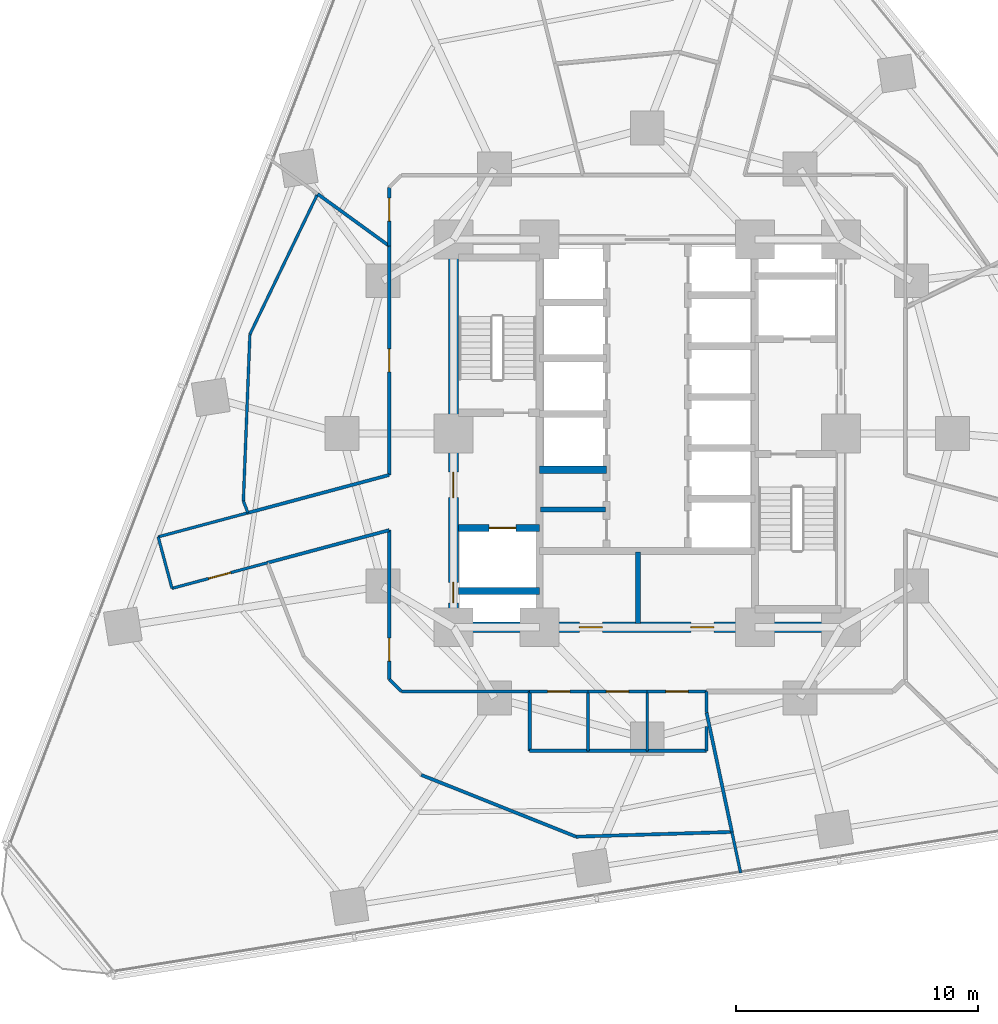
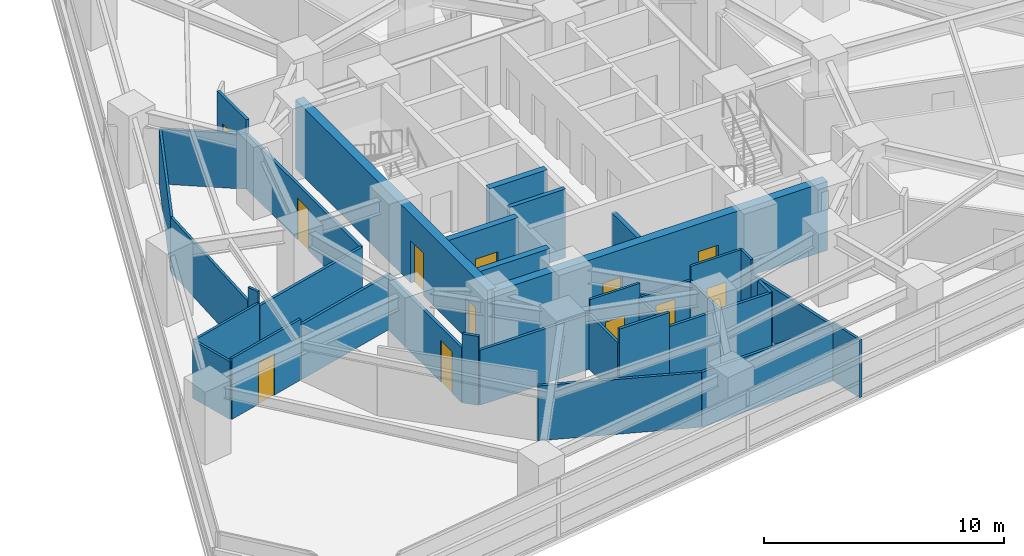
# One storey, part 7 of 14: 36 walls, 12 doors, 12 openings.
"""IFC4 building model written with IfcOpenShell, lengths in metres."""

from ifc_helpers import new_model, si_unit, direction, frame, frame_2d, origin, place, context, subcontext, project, spatial, rectangle, extrude, material, layer, layer_set, type_object, element, fill, save


model = new_model("IFC4")

# Units and contexts
model_context = context("Model", 3, precision=1e-05, world=origin(), true_north=direction((0.0, 1.0)))
body_context = subcontext(model_context, "Body", "Model", "MODEL_VIEW")
ifc_project = project(units=[si_unit("LENGTHUNIT", "METRE"), si_unit("AREAUNIT", "SQUARE_METRE"), si_unit("VOLUMEUNIT", "CUBIC_METRE"), si_unit("PLANEANGLEUNIT", "RADIAN"), si_unit("MASSUNIT", "GRAM", prefix="KILO")], contexts=[model_context])

# Site, building, storey
site_placement = place(None, origin())
site = spatial("IfcSite", under=ifc_project, at=site_placement, CompositionType="ELEMENT")
building_placement = place(site_placement, origin())
building = spatial("IfcBuilding", under=site, at=building_placement, Name="Terralouvre Media Tower", CompositionType="ELEMENT")
storey_placement = place(building_placement, frame((0.0, 0.0, 66.699951171875)))
storey = spatial("IfcBuildingStorey", under=building, at=storey_placement, Name="L16", CompositionType="ELEMENT", Elevation=66.699951171875)

# Wall, opening, door
ifc_material_1 = material(Name="Concrete C50/60", Category="concrete")
ifc_layer_1 = layer(ifc_material_1, 0.300048828125, Name="Core Internal Shaft Wall CW-300")
ifc_layer_set_1 = layer_set([ifc_layer_1], Name="Concrete C50/60")
wall_type_1 = type_object("IfcWallType", Name="Core Internal Shaft Wall CW-300", PredefinedType="SHEAR", material=ifc_layer_set_1)
wall_1_placement = place(storey_placement, frame((-7.7900390625, -3.89990234375, 0.0), z_axis=(0.0, 0.0, 1.0), x_axis=(1.0, 0.0, 0.0)))
wall_1 = element("IfcWall", 1, at=wall_1_placement, inside=storey, type_object=wall_type_1, Name="L16 Core Shaft Wall FF1N", PredefinedType="SHEAR", context=body_context, shape_type="SweptSolid", body=[
    extrude(rectangle(XDim=3.340087890625, YDim=0.300048828125, at=frame_2d((1.669921875, 0.0))), origin(), (0.0, 0.0, 1.0), 3.5),
])
opening_1_placement = place(wall_1_placement, frame((1.27001953125, 0.0, 0.0)))
opening_1 = element("IfcOpeningElement", 2, at=opening_1_placement, cuts=wall_1, Name="Opening LD-FF", PredefinedType="OPENING", context=body_context, shape_type="SweptSolid", body=[
    extrude(rectangle(XDim=1.10009765625, YDim=2.10009765625, at=frame_2d((0.550048828125, 1.050048828125))), frame((0.0, 0.159912109375, 0.0), z_axis=(0.0, -1.0, 0.0), x_axis=(1.0, 0.0, 0.0)), (0.0, 0.0, 1.0), 0.320068359375),
])
ifc_material_2 = material(Name="Stainless steel 316 handrail and balustrade", Category="steel")
door_type_1 = type_object("IfcDoorType", Name="Firefighting Lift Sliding Landing Door LD-FF", OperationType="SLIDING_TO_LEFT", PredefinedType="DOOR", material=ifc_material_2)
door_1_placement = place(opening_1_placement, origin())
door_1 = element("IfcDoor", 3, at=door_1_placement, inside=storey, type_object=door_type_1, Name="L16 Firefighting Lift FFL-01 Landing Door", OperationType="SLIDING_TO_LEFT", OverallHeight=2.10009765625, OverallWidth=1.10009765625, PredefinedType="DOOR", context=body_context, shape_type="SweptSolid", body=[
    extrude(rectangle(XDim=1.10009765625, YDim=2.10009765625, at=frame_2d((0.550048828125, 1.050048828125))), frame((0.0, 0.02490234375, 0.0), z_axis=(0.0, -1.0, 0.0), x_axis=(1.0, 0.0, 0.0)), (0.0, 0.0, 1.0), 0.050048828125),
])
fill(opening_1, door_1)

# Walls
wall_2_placement = place(storey_placement, frame((-7.7900390625, -6.5, 0.0), z_axis=(0.0, 0.0, 1.0), x_axis=(1.0, 0.0, 0.0)))
element("IfcWall", 4, at=wall_2_placement, inside=storey, type_object=wall_type_1, Name="L16 Core Shaft Wall FF1S", PredefinedType="SHEAR", context=body_context, shape_type="SweptSolid", body=[
    extrude(rectangle(XDim=3.340087890625, YDim=0.300048828125, at=frame_2d((1.669921875, 0.0))), origin(), (0.0, 0.0, 1.0), 3.5),
])
wall_3_placement = place(storey_placement, frame((-4.449951171875, -1.5, 0.0), z_axis=(0.0, 0.0, 1.0), x_axis=(1.0, 0.0, 0.0)))
element("IfcWall", 5, at=wall_3_placement, inside=storey, type_object=wall_type_1, Name="L16 Core Shaft Wall PLLD0", PredefinedType="SHEAR", context=body_context, shape_type="SweptSolid", body=[
    extrude(rectangle(XDim=2.77001953125, YDim=0.300048828125, at=frame_2d((1.385009765625, 0.0))), origin(), (0.0, 0.0, 1.0), 3.5),
])

# Wall, openings, doors
ifc_material_3 = material(Name="Concrete C60/75", Category="concrete")
ifc_layer_2 = layer(ifc_material_3, 0.419921875, Name="Core Reinforced Concrete Shear Wall CW-420")
ifc_layer_set_2 = layer_set([ifc_layer_2], Name="Concrete C60/75")
wall_type_2 = type_object("IfcWallType", Name="Core Reinforced Concrete Shear Wall CW-420", PredefinedType="SHEAR", material=ifc_layer_set_2)
wall_4_placement = place(storey_placement, frame((-8.0, -8.0, 0.0), z_axis=(0.0, 0.0, 1.0), x_axis=(0.0, 1.0, 0.0)))
wall_4 = element("IfcWall", 6, at=wall_4_placement, inside=storey, type_object=wall_type_2, Name="L16 W Core Shear Wall", PredefinedType="SHEAR", context=body_context, shape_type="SweptSolid", body=[
    extrude(rectangle(XDim=16.0, YDim=0.419921875, at=frame_2d((8.0, 0.0))), origin(), (0.0, 0.0, 1.0), 3.5),
])
opening_2_placement = place(wall_4_placement, frame((1.001708984375, 0.0, 0.0)))
opening_2 = element("IfcOpeningElement", 7, at=opening_2_placement, cuts=wall_4, Name="Opening TD-R1", PredefinedType="OPENING", context=body_context, shape_type="SweptSolid", body=[
    extrude(rectangle(XDim=0.85009765625, YDim=2.02001953125, at=frame_2d((0.425048828125, 1.010009765625))), frame((0.0, 0.219970703125, 0.0), z_axis=(0.0, -1.0, 0.0), x_axis=(1.0, 0.0, 0.0)), (0.0, 0.0, 1.0), 0.43994140625),
])
opening_3_placement = place(wall_4_placement, frame((5.35009765625, 0.0, 0.0)))
opening_3 = element("IfcOpeningElement", 8, at=opening_3_placement, cuts=wall_4, Name="Opening FD-01-105X215", PredefinedType="OPENING", context=body_context, shape_type="SweptSolid", body=[
    extrude(rectangle(XDim=1.050048828125, YDim=2.14990234375, at=frame_2d((0.52490234375, 1.074951171875))), frame((0.0, 0.219970703125, 0.0), z_axis=(0.0, -1.0, 0.0), x_axis=(1.0, 0.0, 0.0)), (0.0, 0.0, 1.0), 0.43994140625),
])
ifc_material_4 = material(Name="Galvanised steel fire-resisting leaf", Category="steel")
door_type_2 = type_object("IfcDoorType", Name="Riser Inspection Access Trapdoor TD-R1", OperationType="NOTDEFINED", PredefinedType="TRAPDOOR", material=ifc_material_4)
door_2_placement = place(opening_2_placement, origin())
door_2 = element("IfcDoor", 9, at=door_2_placement, inside=storey, type_object=door_type_2, Name="L16 Wet Riser Access Trapdoor", OperationType="SINGLE_SWING_LEFT", OverallHeight=2.02001953125, OverallWidth=0.85009765625, PredefinedType="TRAPDOOR", context=body_context, shape_type="SweptSolid", body=[
    extrude(rectangle(XDim=0.85009765625, YDim=2.02001953125, at=frame_2d((0.425048828125, 1.010009765625))), frame((0.0, 0.02490234375, 0.0), z_axis=(0.0, -1.0, 0.0), x_axis=(1.0, 0.0, 0.0)), (0.0, 0.0, 1.0), 0.050048828125),
])
fill(opening_2, door_2)
ifc_material_5 = material(Name="Galvanised steel fire-resisting leaf", Category="steel")
door_type_3 = type_object("IfcDoorType", Name="Stair and Firefighting Lobby Fire Door FD-01 (1050x2150)", OperationType="NOTDEFINED", PredefinedType="DOOR", material=ifc_material_5)
door_3_placement = place(opening_3_placement, origin())
door_3 = element("IfcDoor", 10, at=door_3_placement, inside=storey, type_object=door_type_3, Name="L16 West Firefighting Lobby Entry Door", OperationType="SINGLE_SWING_RIGHT", OverallHeight=2.14990234375, OverallWidth=1.050048828125, PredefinedType="DOOR", context=body_context, shape_type="SweptSolid", body=[
    extrude(rectangle(XDim=1.050048828125, YDim=2.14990234375, at=frame_2d((0.52490234375, 1.074951171875))), frame((0.0, 0.02490234375, 0.0), z_axis=(0.0, -1.0, 0.0), x_axis=(1.0, 0.0, 0.0)), (0.0, 0.0, 1.0), 0.050048828125),
])
fill(opening_3, door_3)

wall_5_placement = place(storey_placement, frame((-8.0, -8.0, 0.0), z_axis=(0.0, 0.0, 1.0), x_axis=(1.0, 0.0, 0.0)))
wall_5 = element("IfcWall", 11, at=wall_5_placement, inside=storey, type_object=wall_type_2, Name="L16 S Core Shear Wall", PredefinedType="SHEAR", context=body_context, shape_type="SweptSolid", body=[
    extrude(rectangle(XDim=16.0, YDim=0.419921875, at=frame_2d((8.0, 0.0))), origin(), (0.0, 0.0, 1.0), 3.5),
])
opening_4_placement = place(wall_5_placement, frame((5.199951171875, 0.0, 0.0)))
opening_4 = element("IfcOpeningElement", 12, at=opening_4_placement, cuts=wall_5, Name="Opening FD-02-95X210", PredefinedType="OPENING", context=body_context, shape_type="SweptSolid", body=[
    extrude(rectangle(XDim=0.949951171875, YDim=2.10009765625, at=frame_2d((0.47509765625, 1.050048828125))), frame((0.0, 0.219970703125, 0.0), z_axis=(0.0, -1.0, 0.0), x_axis=(1.0, 0.0, 0.0)), (0.0, 0.0, 1.0), 0.43994140625),
])
opening_5_placement = place(wall_5_placement, frame((9.800048828125, 0.0, 0.0)))
opening_5 = element("IfcOpeningElement", 13, at=opening_5_placement, cuts=wall_5, Name="Opening FD-02-95X210", PredefinedType="OPENING", context=body_context, shape_type="SweptSolid", body=[
    extrude(rectangle(XDim=0.949951171875, YDim=2.10009765625, at=frame_2d((0.47509765625, 1.050048828125))), frame((0.0, 0.219970703125, 0.0), z_axis=(0.0, -1.0, 0.0), x_axis=(1.0, 0.0, 0.0)), (0.0, 0.0, 1.0), 0.43994140625),
])
ifc_material_6 = material(Name="Galvanised steel fire-resisting leaf", Category="steel")
door_type_4 = type_object("IfcDoorType", Name="Plant and Riser Fire Door FD-02 (950x2100)", OperationType="NOTDEFINED", PredefinedType="DOOR", material=ifc_material_6)
door_4_placement = place(opening_4_placement, origin())
door_4 = element("IfcDoor", 14, at=door_4_placement, inside=storey, type_object=door_type_4, Name="L16 Core Valve Plant Door", OperationType="SINGLE_SWING_LEFT", OverallHeight=2.10009765625, OverallWidth=0.949951171875, PredefinedType="DOOR", context=body_context, shape_type="SweptSolid", body=[
    extrude(rectangle(XDim=0.949951171875, YDim=2.10009765625, at=frame_2d((0.47509765625, 1.050048828125))), frame((0.0, 0.02490234375, 0.0), z_axis=(0.0, -1.0, 0.0), x_axis=(1.0, 0.0, 0.0)), (0.0, 0.0, 1.0), 0.050048828125),
])
fill(opening_4, door_4)
door_5_placement = place(opening_5_placement, origin())
door_5 = element("IfcDoor", 15, at=door_5_placement, inside=storey, type_object=door_type_4, Name="L16 Core MDF Plant Door", OperationType="SINGLE_SWING_RIGHT", OverallHeight=2.10009765625, OverallWidth=0.949951171875, PredefinedType="DOOR", context=body_context, shape_type="SweptSolid", body=[
    extrude(rectangle(XDim=0.949951171875, YDim=2.10009765625, at=frame_2d((0.47509765625, 1.050048828125))), frame((0.0, 0.02490234375, 0.0), z_axis=(0.0, -1.0, 0.0), x_axis=(1.0, 0.0, 0.0)), (0.0, 0.0, 1.0), 0.050048828125),
])
fill(opening_5, door_5)

# Walls
ifc_material_7 = material(Name="Fire-rated gypsum board drywall partition")
ifc_layer_3 = layer(ifc_material_7, 0.199951171875, Name="Fire-Rated Shaft and Lobby Partition FW-200")
ifc_layer_set_3 = layer_set([ifc_layer_3], Name="Fire-rated gypsum board drywall partition")
wall_type_3 = type_object("IfcWallType", Name="Fire-Rated Shaft and Lobby Partition FW-200", PredefinedType="SOLIDWALL", material=ifc_layer_set_3)
wall_6_placement = place(storey_placement, frame((-0.3798828125, -7.85009765625, 0.0), z_axis=(0.0, 0.0, 1.0), x_axis=(0.0, 1.0, 0.0)))
element("IfcWall", 16, at=wall_6_placement, inside=storey, type_object=wall_type_3, Name="L16 Core Service Bay Partition 1", PredefinedType="SOLIDWALL", context=body_context, shape_type="SweptSolid", body=[
    extrude(rectangle(XDim=2.9501953125, YDim=0.199951171875, at=frame_2d((1.47509765625, 0.0))), origin(), (0.0, 0.0, 1.0), 2.885009765625),
])
wall_7_placement = place(storey_placement, frame((-4.39990234375, -3.139892578125, 0.0), z_axis=(0.0, 0.0, 1.0), x_axis=(1.0, 0.0, 0.0)))
element("IfcWall", 17, at=wall_7_placement, inside=storey, type_object=wall_type_3, Name="L16 Core West Sub-Partition 1", PredefinedType="SOLIDWALL", context=body_context, shape_type="SweptSolid", body=[
    extrude(rectangle(XDim=2.679931640625, YDim=0.199951171875, at=frame_2d((1.33984375, 0.0))), origin(), (0.0, 0.0, 1.0), 3.5),
])
ifc_material_8 = material(Name="Fire-rated gypsum board drywall partition")
ifc_layer_4 = layer(ifc_material_8, 0.135009765625, Name="Newsroom Acoustic Partition PT-135")
ifc_layer_set_4 = layer_set([ifc_layer_4], Name="Fire-rated gypsum board drywall partition")
wall_type_4 = type_object("IfcWallType", Name="Newsroom Acoustic Partition PT-135", PredefinedType="PARTITIONING", material=ifc_layer_set_4)
wall_8_placement = place(storey_placement, frame((-15.677001953125, -5.339111328125, 0.0), z_axis=(0.0, 0.0, 1.0), x_axis=(0.965918107115, 0.258847851734, 0.0)))
element("IfcWall", 18, at=wall_8_placement, inside=storey, type_object=wall_type_4, Name="L16 Interior Partition 006", PredefinedType="PARTITIONING", context=body_context, shape_type="SweptSolid", body=[
    extrude(rectangle(XDim=5.20458984375, YDim=0.135009765625, at=frame_2d((2.602294921875, 0.0))), origin(), (0.0, 0.0, 1.0), 2.78515625),
])

# Wall, opening, door
wall_9_placement = place(storey_placement, frame((-10.64990234375, -3.991943359375, 0.0), z_axis=(0.0, 0.0, 1.0), x_axis=(0.0, -1.0, 0.0)))
wall_9 = element("IfcWall", 19, at=wall_9_placement, inside=storey, type_object=wall_type_4, Name="L16 Interior Partition 007", PredefinedType="PARTITIONING", context=body_context, shape_type="SweptSolid", body=[
    extrude(rectangle(XDim=6.157958984375, YDim=0.135009765625, at=frame_2d((3.0791015625, 0.0))), origin(), (0.0, 0.0, 1.0), 2.78515625),
])
opening_6_placement = place(wall_9_placement, frame((4.451416015625, 0.0, 0.0)))
opening_6 = element("IfcOpeningElement", 20, at=opening_6_placement, cuts=wall_9, Name="Opening ID-02-95X210", PredefinedType="OPENING", context=body_context, shape_type="SweptSolid", body=[
    extrude(rectangle(XDim=0.949951171875, YDim=2.10009765625, at=frame_2d((0.47509765625, 1.050048828125))), frame((0.0, 0.077392578125, 0.0), z_axis=(0.0, -1.0, 0.0), x_axis=(1.0, 0.0, 0.0)), (0.0, 0.0, 1.0), 0.155029296875),
])
ifc_material_9 = material(Name="Engineered hardwood acoustic timber leaf", Category="wood")
door_type_5 = type_object("IfcDoorType", Name="Office and Meeting Room Door ID-02 (950x2100)", OperationType="NOTDEFINED", PredefinedType="DOOR", material=ifc_material_9)
door_6_placement = place(opening_6_placement, origin())
door_6 = element("IfcDoor", 21, at=door_6_placement, inside=storey, type_object=door_type_5, Name="L16 Acoustic Listening Study 2 Door", OperationType="SINGLE_SWING_LEFT", OverallHeight=2.10009765625, OverallWidth=0.949951171875, PredefinedType="DOOR", context=body_context, shape_type="SweptSolid", body=[
    extrude(rectangle(XDim=0.949951171875, YDim=2.10009765625, at=frame_2d((0.47509765625, 1.050048828125))), frame((0.0, 0.02490234375, 0.0), z_axis=(0.0, -1.0, 0.0), x_axis=(1.0, 0.0, 0.0)), (0.0, 0.0, 1.0), 0.050048828125),
])
fill(opening_6, door_6)

# Walls
wall_10_placement = place(storey_placement, frame((-10.64990234375, -10.14990234375, 0.0), z_axis=(0.0, 0.0, 1.0), x_axis=(0.707106781187, -0.707106781187, 0.0)))
element("IfcWall", 22, at=wall_10_placement, inside=storey, type_object=wall_type_4, Name="L16 Interior Partition 008", PredefinedType="PARTITIONING", context=body_context, shape_type="SweptSolid", body=[
    extrude(rectangle(XDim=0.70703125, YDim=0.135009765625, at=frame_2d((0.353515625, 0.0))), origin(), (0.0, 0.0, 1.0), 3.5),
])
wall_11_placement = place(storey_placement, frame((-10.14990234375, -10.64990234375, 0.0), z_axis=(0.0, 0.0, 1.0), x_axis=(1.0, 0.0, 0.0)))
element("IfcWall", 23, at=wall_11_placement, inside=storey, type_object=wall_type_4, Name="L16 Interior Partition 009", PredefinedType="PARTITIONING", context=body_context, shape_type="SweptSolid", body=[
    extrude(rectangle(XDim=5.2998046875, YDim=0.135009765625, at=frame_2d((2.64990234375, 0.0))), origin(), (0.0, 0.0, 1.0), 2.78515625),
])

# Wall, opening, door
wall_12_placement = place(storey_placement, frame((-10.64990234375, 7.738037109375, 0.0), z_axis=(0.0, 0.0, 1.0), x_axis=(0.0, -1.0, 0.0)))
wall_12 = element("IfcWall", 24, at=wall_12_placement, inside=storey, type_object=wall_type_4, Name="L16 Interior Partition 018", PredefinedType="PARTITIONING", context=body_context, shape_type="SweptSolid", body=[
    extrude(rectangle(XDim=9.453125, YDim=0.135009765625, at=frame_2d((4.7265625, 0.0))), origin(), (0.0, 0.0, 1.0), 2.78515625),
])
opening_7_placement = place(wall_12_placement, frame((4.25146484375, 0.0, 0.0)))
opening_7 = element("IfcOpeningElement", 25, at=opening_7_placement, cuts=wall_12, Name="Opening ID-02-95X210", PredefinedType="OPENING", context=body_context, shape_type="SweptSolid", body=[
    extrude(rectangle(XDim=0.949951171875, YDim=2.10009765625, at=frame_2d((0.47509765625, 1.050048828125))), frame((0.0, 0.077392578125, 0.0), z_axis=(0.0, -1.0, 0.0), x_axis=(1.0, 0.0, 0.0)), (0.0, 0.0, 1.0), 0.155029296875),
])
door_7_placement = place(opening_7_placement, origin())
door_7 = element("IfcDoor", 26, at=door_7_placement, inside=storey, type_object=door_type_5, Name="L16 Audio Tape Archive Storage 6 Door", OperationType="SINGLE_SWING_LEFT", OverallHeight=2.10009765625, OverallWidth=0.949951171875, PredefinedType="DOOR", context=body_context, shape_type="SweptSolid", body=[
    extrude(rectangle(XDim=0.949951171875, YDim=2.10009765625, at=frame_2d((0.47509765625, 1.050048828125))), frame((0.0, 0.02490234375, 0.0), z_axis=(0.0, -1.0, 0.0), x_axis=(1.0, 0.0, 0.0)), (0.0, 0.0, 1.0), 0.050048828125),
])
fill(opening_7, door_7)

# Wall
wall_13_placement = place(storey_placement, frame((-10.64990234375, -1.715087890625, 0.0), z_axis=(0.0, 0.0, 1.0), x_axis=(-0.965921324617, -0.258835844987, 0.0)))
element("IfcWall", 27, at=wall_13_placement, inside=storey, type_object=wall_type_4, Name="L16 Interior Partition 019", PredefinedType="PARTITIONING", context=body_context, shape_type="SweptSolid", body=[
    extrude(rectangle(XDim=6.03466796875, YDim=0.135009765625, at=frame_2d((3.017333984375, 0.0))), origin(), (0.0, 0.0, 1.0), 2.78515625),
])

# Wall, opening, door
wall_14_placement = place(storey_placement, frame((-10.64990234375, 10.14990234375, 0.0), z_axis=(0.0, 0.0, 1.0), x_axis=(0.0, -1.0, 0.0)))
wall_14 = element("IfcWall", 28, at=wall_14_placement, inside=storey, type_object=wall_type_4, Name="L16 Interior Partition 031", PredefinedType="PARTITIONING", context=body_context, shape_type="SweptSolid", body=[
    extrude(rectangle(XDim=2.411865234375, YDim=0.135009765625, at=frame_2d((1.2060546875, 0.0))), origin(), (0.0, 0.0, 1.0), 3.5),
])
opening_8_placement = place(wall_14_placement, frame((0.441650390625, 0.0, 0.0)))
opening_8 = element("IfcOpeningElement", 29, at=opening_8_placement, cuts=wall_14, Name="Opening ID-02-95X210", PredefinedType="OPENING", context=body_context, shape_type="SweptSolid", body=[
    extrude(rectangle(XDim=0.949951171875, YDim=2.10009765625, at=frame_2d((0.47509765625, 1.050048828125))), frame((0.0, 0.077392578125, 0.0), z_axis=(0.0, -1.0, 0.0), x_axis=(1.0, 0.0, 0.0)), (0.0, 0.0, 1.0), 0.155029296875),
])
door_8_placement = place(opening_8_placement, origin())
door_8 = element("IfcDoor", 30, at=door_8_placement, inside=storey, type_object=door_type_5, Name="L16 Audio Producer Office 9 Door", OperationType="SINGLE_SWING_RIGHT", OverallHeight=2.10009765625, OverallWidth=0.949951171875, PredefinedType="DOOR", context=body_context, shape_type="SweptSolid", body=[
    extrude(rectangle(XDim=0.949951171875, YDim=2.10009765625, at=frame_2d((0.47509765625, 1.050048828125))), frame((0.0, 0.02490234375, 0.0), z_axis=(0.0, -1.0, 0.0), x_axis=(1.0, 0.0, 0.0)), (0.0, 0.0, 1.0), 0.050048828125),
])
fill(opening_8, door_8)

# Walls
wall_15_placement = place(storey_placement, frame((-9.327880859375, -14.093017578125, 0.0), z_axis=(0.0, 0.0, 1.0), x_axis=(0.928830986118, -0.370503710139, 0.0)))
element("IfcWall", 31, at=wall_15_placement, inside=storey, type_object=wall_type_4, Name="L16 Interior Partition 037", PredefinedType="PARTITIONING", context=body_context, shape_type="SweptSolid", body=[
    extrude(rectangle(XDim=6.882568359375, YDim=0.135009765625, at=frame_2d((3.44140625, 0.0))), origin(), (0.0, 0.0, 1.0), 2.78515625),
])
wall_16_placement = place(storey_placement, frame((-2.93505859375, -16.64306640625, 0.0), z_axis=(0.0, 0.0, 1.0), x_axis=(0.999535697464, 0.030469484666, 0.0)))
element("IfcWall", 32, at=wall_16_placement, inside=storey, type_object=wall_type_4, Name="L16 Interior Partition 038", PredefinedType="PARTITIONING", context=body_context, shape_type="SweptSolid", body=[
    extrude(rectangle(XDim=6.43408203125, YDim=0.135009765625, at=frame_2d((3.217041015625, 0.0))), origin(), (0.0, 0.0, 1.0), 2.78515625),
])
wall_17_placement = place(storey_placement, frame((-2.449951171875, -13.10009765625, 0.0), z_axis=(0.0, 0.0, 1.0), x_axis=(-1.0, 0.0, 0.0)))
element("IfcWall", 33, at=wall_17_placement, inside=storey, type_object=wall_type_4, Name="L16 Interior Partition 039", PredefinedType="PARTITIONING", context=body_context, shape_type="SweptSolid", body=[
    extrude(rectangle(XDim=2.400146484375, YDim=0.135009765625, at=frame_2d((1.2001953125, 0.0))), origin(), (0.0, 0.0, 1.0), 3.5),
])
wall_18_placement = place(storey_placement, frame((-4.85009765625, -13.10009765625, 0.0), z_axis=(0.0, 0.0, 1.0), x_axis=(0.0, 1.0, 0.0)))
element("IfcWall", 34, at=wall_18_placement, inside=storey, type_object=wall_type_4, Name="L16 Interior Partition 040", PredefinedType="PARTITIONING", context=body_context, shape_type="SweptSolid", body=[
    extrude(rectangle(XDim=2.4501953125, YDim=0.135009765625, at=frame_2d((1.22509765625, 0.0))), origin(), (0.0, 0.0, 1.0), 2.78515625),
])
wall_19_placement = place(storey_placement, frame((0.0, -13.10009765625, 0.0), z_axis=(0.0, 0.0, 1.0), x_axis=(-1.0, 0.0, 0.0)))
element("IfcWall", 35, at=wall_19_placement, inside=storey, type_object=wall_type_4, Name="L16 Interior Partition 041", PredefinedType="PARTITIONING", context=body_context, shape_type="SweptSolid", body=[
    extrude(rectangle(XDim=2.449951171875, YDim=0.135009765625, at=frame_2d((1.22509765625, 0.0))), origin(), (0.0, 0.0, 1.0), 2.78515625),
])
wall_20_placement = place(storey_placement, frame((2.449951171875, -12.103271484375, 0.0), z_axis=(0.0, 0.0, 1.0), x_axis=(0.0, -1.0, 0.0)))
element("IfcWall", 36, at=wall_20_placement, inside=storey, type_object=wall_type_4, Name="L16 Interior Partition 042", PredefinedType="PARTITIONING", context=body_context, shape_type="SweptSolid", body=[
    extrude(rectangle(XDim=0.996826171875, YDim=0.135009765625, at=frame_2d((0.49853515625, 0.0))), origin(), (0.0, 0.0, 1.0), 2.78515625),
])
wall_21_placement = place(storey_placement, frame((2.449951171875, -13.10009765625, 0.0), z_axis=(0.0, 0.0, 1.0), x_axis=(-1.0, 0.0, 0.0)))
element("IfcWall", 37, at=wall_21_placement, inside=storey, type_object=wall_type_4, Name="L16 Interior Partition 043", PredefinedType="PARTITIONING", context=body_context, shape_type="SweptSolid", body=[
    extrude(rectangle(XDim=2.449951171875, YDim=0.135009765625, at=frame_2d((1.22509765625, 0.0))), origin(), (0.0, 0.0, 1.0), 2.78515625),
])
wall_22_placement = place(storey_placement, frame((3.49609375, -16.447021484375, 0.0), z_axis=(0.0, 0.0, 1.0), x_axis=(-0.207934783689, 0.978142691908, 0.0)))
element("IfcWall", 38, at=wall_22_placement, inside=storey, type_object=wall_type_4, Name="L16 Interior Partition 044", PredefinedType="PARTITIONING", context=body_context, shape_type="SweptSolid", body=[
    extrude(rectangle(XDim=5.031005859375, YDim=0.135009765625, at=frame_2d((2.515625, 0.0))), origin(), (0.0, 0.0, 1.0), 2.78515625),
])
wall_23_placement = place(storey_placement, frame((-10.64990234375, 7.738037109375, 0.0), z_axis=(0.0, 0.0, 1.0), x_axis=(-0.809088823189, 0.587686375706, 0.0)))
element("IfcWall", 39, at=wall_23_placement, inside=storey, type_object=wall_type_4, Name="L16 Interior Partition 057", PredefinedType="PARTITIONING", context=body_context, shape_type="SweptSolid", body=[
    extrude(rectangle(XDim=3.64990234375, YDim=0.135009765625, at=frame_2d((1.824951171875, 0.0))), origin(), (0.0, 0.0, 1.0), 2.78515625),
])
ifc_material_10 = material(Name="Fire-rated gypsum board drywall partition")
ifc_layer_5 = layer(ifc_material_10, 0.114990234375, Name="Restroom and Pantry Partition PT-115")
ifc_layer_set_5 = layer_set([ifc_layer_5], Name="Fire-rated gypsum board drywall partition")
wall_type_5 = type_object("IfcWallType", Name="Restroom and Pantry Partition PT-115", PredefinedType="PARTITIONING", material=ifc_layer_set_5)
wall_24_placement = place(storey_placement, frame((-16.47900390625, -3.277099609375, 0.0), z_axis=(0.0, 0.0, 1.0), x_axis=(-0.965962825479, -0.258680922747, 0.0)))
element("IfcWall", 40, at=wall_24_placement, inside=storey, type_object=wall_type_5, Name="L16 Interior Partition 012", PredefinedType="PARTITIONING", context=body_context, shape_type="SweptSolid", body=[
    extrude(rectangle(XDim=3.834716796875, YDim=0.114990234375, at=frame_2d((1.91748046875, 0.0))), origin(), (0.0, 0.0, 1.0), 2.93505859375),
])
wall_25_placement = place(storey_placement, frame((-20.18310546875, -4.26904296875, 0.0), z_axis=(0.0, 0.0, 1.0), x_axis=(0.259105843213, -0.965848933329, 0.0)))
element("IfcWall", 41, at=wall_25_placement, inside=storey, type_object=wall_type_5, Name="L16 Interior Partition 013", PredefinedType="PARTITIONING", context=body_context, shape_type="SweptSolid", body=[
    extrude(rectangle(XDim=2.2001953125, YDim=0.114990234375, at=frame_2d((1.10009765625, 0.0))), origin(), (0.0, 0.0, 1.0), 2.93505859375),
])

# Wall, opening, door
wall_26_placement = place(storey_placement, frame((-19.613037109375, -6.39404296875, 0.0), z_axis=(0.0, 0.0, 1.0), x_axis=(0.965909002028, 0.258881825937, 0.0)))
wall_26 = element("IfcWall", 42, at=wall_26_placement, inside=storey, type_object=wall_type_5, Name="L16 Interior Partition 014", PredefinedType="PARTITIONING", context=body_context, shape_type="SweptSolid", body=[
    extrude(rectangle(XDim=4.074951171875, YDim=0.114990234375, at=frame_2d((2.03759765625, 0.0))), origin(), (0.0, 0.0, 1.0), 3.0849609375),
])
opening_9_placement = place(wall_26_placement, frame((1.5625, 0.0, 0.0)))
opening_9 = element("IfcOpeningElement", 43, at=opening_9_placement, cuts=wall_26, Name="Opening SD-01-95X210", PredefinedType="OPENING", context=body_context, shape_type="SweptSolid", body=[
    extrude(rectangle(XDim=0.949951171875, YDim=2.10009765625, at=frame_2d((0.47509765625, 1.050048828125))), frame((0.0, 0.0673828125, 0.0), z_axis=(0.0, -1.0, 0.0), x_axis=(1.0, 0.0, 0.0)), (0.0, 0.0, 1.0), 0.135009765625),
])
ifc_material_11 = material(Name="Anodised extruded aluminium 6063-T6", Category="aluminium")
door_type_6 = type_object("IfcDoorType", Name="Pantry Pocket Sliding Door SD-01 (950x2100)", OperationType="SLIDING_TO_LEFT", PredefinedType="DOOR", material=ifc_material_11)
door_9_placement = place(opening_9_placement, origin())
door_9 = element("IfcDoor", 44, at=door_9_placement, inside=storey, type_object=door_type_6, Name="L16 Artist Hospitality Kitchen 4 Door", OperationType="SLIDING_TO_LEFT", OverallHeight=2.10009765625, OverallWidth=0.949951171875, PredefinedType="DOOR", context=body_context, shape_type="SweptSolid", body=[
    extrude(rectangle(XDim=0.949951171875, YDim=2.10009765625, at=frame_2d((0.47509765625, 1.050048828125))), frame((0.0, 0.02490234375, 0.0), z_axis=(0.0, -1.0, 0.0), x_axis=(1.0, 0.0, 0.0)), (0.0, 0.0, 1.0), 0.050048828125),
])
fill(opening_9, door_9)

wall_27_placement = place(storey_placement, frame((-4.85009765625, -10.64990234375, 0.0), z_axis=(0.0, 0.0, 1.0), x_axis=(1.0, 0.0, 0.0)))
wall_27 = element("IfcWall", 45, at=wall_27_placement, inside=storey, type_object=wall_type_5, Name="L16 Interior Partition 024", PredefinedType="PARTITIONING", context=body_context, shape_type="SweptSolid", body=[
    extrude(rectangle(XDim=2.400146484375, YDim=0.114990234375, at=frame_2d((1.2001953125, 0.0))), origin(), (0.0, 0.0, 1.0), 3.5),
])
opening_10_placement = place(wall_27_placement, frame((0.739990234375, 0.0, 0.0)))
opening_10 = element("IfcOpeningElement", 46, at=opening_10_placement, cuts=wall_27, Name="Opening ID-03-92X210", PredefinedType="OPENING", context=body_context, shape_type="SweptSolid", body=[
    extrude(rectangle(XDim=0.919921875, YDim=2.10009765625, at=frame_2d((0.4599609375, 1.050048828125))), frame((0.0, 0.0673828125, 0.0), z_axis=(0.0, -1.0, 0.0), x_axis=(1.0, 0.0, 0.0)), (0.0, 0.0, 1.0), 0.135009765625),
])
ifc_material_12 = material(Name="Engineered hardwood acoustic timber leaf", Category="wood")
door_type_7 = type_object("IfcDoorType", Name="Accessible Restroom and Suite Door ID-03 (920x2100)", OperationType="NOTDEFINED", PredefinedType="DOOR", material=ifc_material_12)
door_10_placement = place(opening_10_placement, origin())
door_10 = element("IfcDoor", 47, at=door_10_placement, inside=storey, type_object=door_type_7, Name="L16 Male Restroom WC Door", OperationType="SINGLE_SWING_LEFT", OverallHeight=2.10009765625, OverallWidth=0.919921875, PredefinedType="DOOR", context=body_context, shape_type="SweptSolid", body=[
    extrude(rectangle(XDim=0.919921875, YDim=2.10009765625, at=frame_2d((0.4599609375, 1.050048828125))), frame((0.0, 0.02490234375, 0.0), z_axis=(0.0, -1.0, 0.0), x_axis=(1.0, 0.0, 0.0)), (0.0, 0.0, 1.0), 0.050048828125),
])
fill(opening_10, door_10)

wall_28_placement = place(storey_placement, frame((-2.449951171875, -10.64990234375, 0.0), z_axis=(0.0, 0.0, 1.0), x_axis=(1.0, 0.0, 0.0)))
wall_28 = element("IfcWall", 48, at=wall_28_placement, inside=storey, type_object=wall_type_5, Name="L16 Interior Partition 025", PredefinedType="PARTITIONING", context=body_context, shape_type="SweptSolid", body=[
    extrude(rectangle(XDim=2.449951171875, YDim=0.114990234375, at=frame_2d((1.22509765625, 0.0))), origin(), (0.0, 0.0, 1.0), 2.78515625),
])
opening_11_placement = place(wall_28_placement, frame((0.764892578125, 0.0, 0.0)))
opening_11 = element("IfcOpeningElement", 49, at=opening_11_placement, cuts=wall_28, Name="Opening ID-03-92X210", PredefinedType="OPENING", context=body_context, shape_type="SweptSolid", body=[
    extrude(rectangle(XDim=0.919921875, YDim=2.10009765625, at=frame_2d((0.4599609375, 1.050048828125))), frame((0.0, 0.0673828125, 0.0), z_axis=(0.0, -1.0, 0.0), x_axis=(1.0, 0.0, 0.0)), (0.0, 0.0, 1.0), 0.135009765625),
])
door_11_placement = place(opening_11_placement, origin())
door_11 = element("IfcDoor", 50, at=door_11_placement, inside=storey, type_object=door_type_7, Name="L16 Female Restroom WC Door", OperationType="SINGLE_SWING_RIGHT", OverallHeight=2.10009765625, OverallWidth=0.919921875, PredefinedType="DOOR", context=body_context, shape_type="SweptSolid", body=[
    extrude(rectangle(XDim=0.919921875, YDim=2.10009765625, at=frame_2d((0.4599609375, 1.050048828125))), frame((0.0, 0.02490234375, 0.0), z_axis=(0.0, -1.0, 0.0), x_axis=(1.0, 0.0, 0.0)), (0.0, 0.0, 1.0), 0.050048828125),
])
fill(opening_11, door_11)

wall_29_placement = place(storey_placement, frame((0.0, -10.64990234375, 0.0), z_axis=(0.0, 0.0, 1.0), x_axis=(1.0, 0.0, 0.0)))
wall_29 = element("IfcWall", 51, at=wall_29_placement, inside=storey, type_object=wall_type_5, Name="L16 Interior Partition 026", PredefinedType="PARTITIONING", context=body_context, shape_type="SweptSolid", body=[
    extrude(rectangle(XDim=2.449951171875, YDim=0.114990234375, at=frame_2d((1.22509765625, 0.0))), origin(), (0.0, 0.0, 1.0), 3.5),
])
opening_12_placement = place(wall_29_placement, frame((0.764892578125, 0.0, 0.0)))
opening_12 = element("IfcOpeningElement", 52, at=opening_12_placement, cuts=wall_29, Name="Opening ID-03-92X210", PredefinedType="OPENING", context=body_context, shape_type="SweptSolid", body=[
    extrude(rectangle(XDim=0.919921875, YDim=2.10009765625, at=frame_2d((0.4599609375, 1.050048828125))), frame((0.0, 0.0673828125, 0.0), z_axis=(0.0, -1.0, 0.0), x_axis=(1.0, 0.0, 0.0)), (0.0, 0.0, 1.0), 0.135009765625),
])
door_12_placement = place(opening_12_placement, origin())
door_12 = element("IfcDoor", 53, at=door_12_placement, inside=storey, type_object=door_type_7, Name="L16 Accessible Unisex WC Door", OperationType="SINGLE_SWING_LEFT", OverallHeight=2.10009765625, OverallWidth=0.919921875, PredefinedType="DOOR", context=body_context, shape_type="SweptSolid", body=[
    extrude(rectangle(XDim=0.919921875, YDim=2.10009765625, at=frame_2d((0.4599609375, 1.050048828125))), frame((0.0, 0.02490234375, 0.0), z_axis=(0.0, -1.0, 0.0), x_axis=(1.0, 0.0, 0.0)), (0.0, 0.0, 1.0), 0.050048828125),
])
fill(opening_12, door_12)

# Walls
wall_30_placement = place(storey_placement, frame((-16.47900390625, -3.277099609375, 0.0), z_axis=(0.0, 0.0, 1.0), x_axis=(-0.361072625613, 0.932537698451, 0.0)))
element("IfcWall", 54, at=wall_30_placement, inside=storey, type_object=wall_type_5, Name="L16 Interior Partition 048", PredefinedType="PARTITIONING", context=body_context, shape_type="SweptSolid", body=[
    extrude(rectangle(XDim=0.5234375, YDim=0.114990234375, at=frame_2d((0.26171875, 0.0))), origin(), (0.0, 0.0, 1.0), 3.5),
])
wall_31_placement = place(storey_placement, frame((-16.66796875, -2.7890625, 0.0), z_axis=(0.0, 0.0, 1.0), x_axis=(0.039234181612, 0.99923004308, 0.0)))
element("IfcWall", 55, at=wall_31_placement, inside=storey, type_object=wall_type_5, Name="L16 Interior Partition 049", PredefinedType="PARTITIONING", context=body_context, shape_type="SweptSolid", body=[
    extrude(rectangle(XDim=6.88232421875, YDim=0.114990234375, at=frame_2d((3.441162109375, 0.0))), origin(), (0.0, 0.0, 1.0), 2.78515625),
])
wall_32_placement = place(storey_placement, frame((-16.39794921875, 4.087890625, 0.0), z_axis=(0.0, 0.0, 1.0), x_axis=(0.434403094272, 0.900718575187, 0.0)))
element("IfcWall", 56, at=wall_32_placement, inside=storey, type_object=wall_type_5, Name="L16 Interior Partition 050", PredefinedType="PARTITIONING", context=body_context, shape_type="SweptSolid", body=[
    extrude(rectangle(XDim=6.433837890625, YDim=0.114990234375, at=frame_2d((3.216796875, 0.0))), origin(), (0.0, 0.0, 1.0), 2.78515625),
])
wall_33_placement = place(storey_placement, frame((3.855224609375, -18.138671875, 0.0), z_axis=(0.0, 0.0, 1.0), x_axis=(-0.207667958155, 0.978199375974, 0.0)))
element("IfcWall", 57, at=wall_33_placement, inside=storey, type_object=wall_type_5, Name="L16 Interior Partition 051", PredefinedType="PARTITIONING", context=body_context, shape_type="SweptSolid", body=[
    extrude(rectangle(XDim=1.729248046875, YDim=0.114990234375, at=frame_2d((0.86474609375, 0.0))), origin(), (0.0, 0.0, 1.0), 2.93505859375),
])
for number, where, z_axis, x_axis, name in (
    (58, (-2.449951171875, -13.10009765625, 0.0), (0.0, 0.0, 1.0), (0.0, 1.0, 0.0), "L16 Interior Partition 058"),
    (59, (0.0, -13.10009765625, 0.0), (0.0, 0.0, 1.0), (0.0, 1.0, 0.0), "L16 Interior Partition 059"),
):
    element("IfcWall", number, at=place(storey_placement, frame(where, z_axis=z_axis, x_axis=x_axis)), inside=storey, type_object=wall_type_5, Name=name, PredefinedType="PARTITIONING", context=body_context, shape_type="SweptSolid", body=[
        extrude(rectangle(XDim=2.4501953125, YDim=0.114990234375, at=frame_2d((1.22509765625, 0.0))), origin(), (0.0, 0.0, 1.0), 2.78515625),
    ])
wall_34_placement = place(storey_placement, frame((2.449951171875, -11.52587890625, 0.0), z_axis=(0.0, 0.0, 1.0), x_axis=(0.0, 1.0, 0.0)))
element("IfcWall", 60, at=wall_34_placement, inside=storey, type_object=wall_type_5, Name="L16 Interior Partition 060", PredefinedType="PARTITIONING", context=body_context, shape_type="SweptSolid", body=[
    extrude(rectangle(XDim=0.8759765625, YDim=0.114990234375, at=frame_2d((0.43798828125, 0.0))), origin(), (0.0, 0.0, 1.0), 3.5),
])

save(model, "model.ifc")
